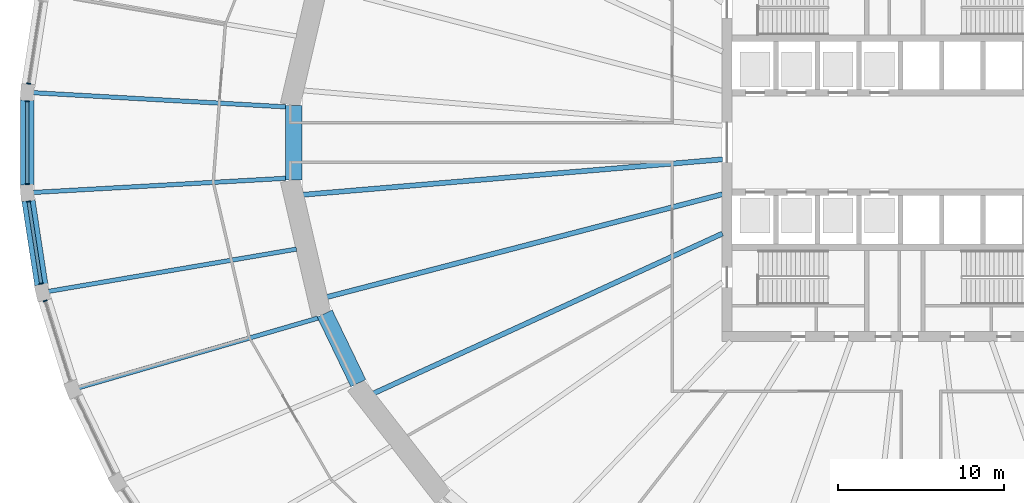
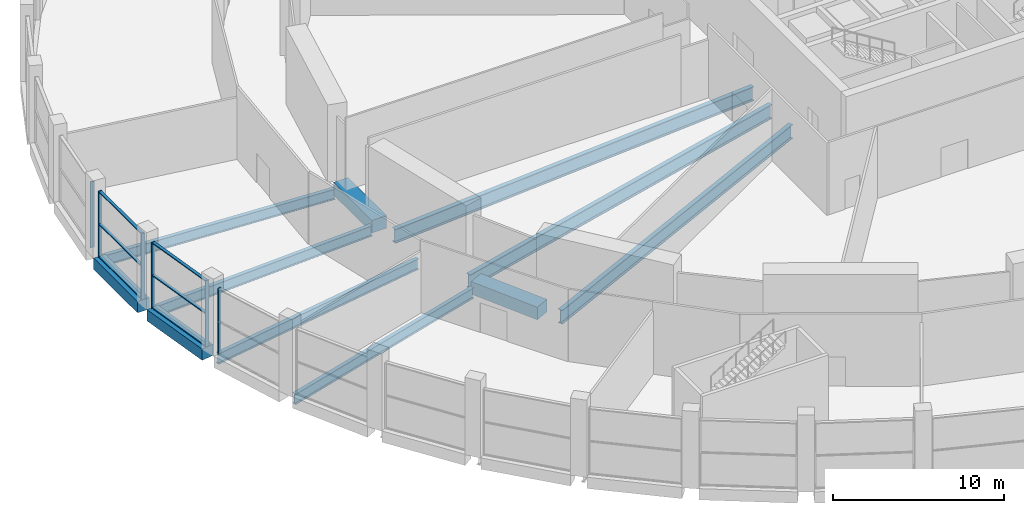
# One storey, part 5 of 29: 12 members, 11 beams, 4 elements without a shape of their own.
"""IFC4 building model written with IfcOpenShell, lengths in metres."""

import ifcopenshell
import ifcopenshell.guid

model = None  # the IFC model being written
_history = None  # IfcOwnerHistory: only IFC2X3 demands one
_inside = {}  # id of a spatial element -> (the spatial element, [elements in it])
_under = {}  # id of a project, library or spatial element -> (it, [spatial elements below it])
_declared = {}  # id of a project -> (the project, [libraries it declares])
_typed = {}  # id of a type object -> (the type object, [elements of that type])
_made_of = {}  # id of a material, layer set ... -> (it, [elements and type objects made of it])


def new_model(schema):
    """Start an empty IFC model of exactly this schema.

    Asked for "IFC4X3", IfcOpenShell would pick the latest addendum, in which some entities
    have other attributes; the version numbers below select the first issue.
    IFC2X3 requires an IfcOwnerHistory on every rooted entity: one is made here for all.
    """
    global model, _history
    if schema == "IFC4X3":
        model = ifcopenshell.file(schema_version=(4, 3, 0, 0))
    else:
        model = ifcopenshell.file(schema=schema)
    _inside.clear()
    _under.clear()
    _declared.clear()
    _typed.clear()
    _made_of.clear()
    _history = None
    if model.schema == "IFC2X3":
        org = make("IfcOrganization", Name="unknown")
        user = make(
            "IfcPersonAndOrganization",
            ThePerson=make("IfcPerson", FamilyName="unknown"),
            TheOrganization=org,
        )
        app = make(
            "IfcApplication",
            ApplicationDeveloper=org,
            Version="unknown",
            ApplicationFullName="unknown",
            ApplicationIdentifier="unknown",
        )
        _history = make(
            "IfcOwnerHistory",
            OwningUser=user,
            OwningApplication=app,
            ChangeAction="ADDED",
            CreationDate=0,
        )
    return model


def make(cls, **values):
    """One entity of the class cls with the attributes given. An attribute that is None is left unset."""
    return model.create_entity(
        cls, **{name: value for name, value in values.items() if value is not None}
    )


def rooted(cls, **values):
    """An entity with a GlobalId (a new one), such as an element, a storey or a relation."""
    return make(cls, GlobalId=ifcopenshell.guid.new(), OwnerHistory=_history, **values)


def si_unit(unit_type, name, prefix=None):
    """IfcSIUnit, for example si_unit("LENGTHUNIT", "METRE", prefix="MILLI")."""
    return make("IfcSIUnit", UnitType=unit_type, Prefix=prefix, Name=name)


def assignment(units):
    """IfcUnitAssignment: the units of a project."""
    return None if units is None else make("IfcUnitAssignment", Units=units)


def point(xyz):
    """IfcCartesianPoint."""
    return None if xyz is None else make("IfcCartesianPoint", Coordinates=xyz)


def direction(xyz):
    """IfcDirection."""
    return None if xyz is None else make("IfcDirection", DirectionRatios=xyz)


def frame(location, z_axis=None, x_axis=None):
    """IfcAxis2Placement3D, a coordinate frame: its origin and axes. An axis left out is left unset."""
    return make(
        "IfcAxis2Placement3D",
        Location=point(location),
        Axis=direction(z_axis),
        RefDirection=direction(x_axis),
    )


def frame_2d(location, x_axis=None):
    """IfcAxis2Placement2D, a coordinate frame in the plane: its origin and x axis."""
    return make(
        "IfcAxis2Placement2D", Location=point(location), RefDirection=direction(x_axis)
    )


def origin():
    """The frame at (0, 0, 0) with its axes left unset."""
    return frame((0.0, 0.0, 0.0))


def origin_2d():
    """The frame at (0, 0) in the plane with its x axis left unset."""
    return frame_2d((0.0, 0.0))


def place(relative_to, where):
    """IfcLocalPlacement: puts the frame where relative to a parent placement (None: the world)."""
    return make(
        "IfcLocalPlacement", PlacementRelTo=relative_to, RelativePlacement=where
    )


def context(
    kind, dimensions, precision=None, world=None, true_north=None, identifier=None
):
    """IfcGeometricRepresentationContext, for example the 3D "Model" context."""
    return make(
        "IfcGeometricRepresentationContext",
        ContextIdentifier=identifier,
        ContextType=kind,
        CoordinateSpaceDimension=dimensions,
        Precision=precision,
        WorldCoordinateSystem=world,
        TrueNorth=true_north,
    )


def subcontext(parent, identifier, kind, view, scale=None):
    """IfcGeometricRepresentationSubContext, for example "Body" below "Model"."""
    return make(
        "IfcGeometricRepresentationSubContext",
        ContextIdentifier=identifier,
        ContextType=kind,
        ParentContext=parent,
        TargetScale=scale,
        TargetView=view,
    )


def project(units=None, contexts=None):
    """IfcProject with its units and contexts."""
    return rooted(
        "IfcProject",
        Name="project",
        RepresentationContexts=contexts,
        UnitsInContext=assignment(units),
    )


def spatial(cls, under=None, at=None, **own):
    """A site, building, storey or space (cls), placed at a placement, below another one or the project."""
    s = rooted(cls, ObjectPlacement=at, **own)
    if under is not None:
        _under.setdefault(under.id(), (under, []))[1].append(s)
    return s


def profile(cls, at=None, kind="AREA", **sizes):
    """A parametric profile (cls). Its sizes go by their IFC names, for example OverallWidth=200.0."""
    return make(cls, ProfileType=kind, Position=at, **sizes)


def rectangle(**sizes):
    """IfcRectangleProfileDef."""
    return profile("IfcRectangleProfileDef", **sizes)


def i_section(**sizes):
    """IfcIShapeProfileDef."""
    return profile("IfcIShapeProfileDef", **sizes)


def extrude(swept, where, along, depth):
    """IfcExtrudedAreaSolid: the profile swept, set in the frame where, extruded along a direction by depth."""
    return make(
        "IfcExtrudedAreaSolid",
        SweptArea=swept,
        Position=where,
        ExtrudedDirection=direction(along),
        Depth=depth,
    )


def shape(context_of_items, identifier, shape_type, items):
    """IfcShapeRepresentation: the items that make up one representation, for example the "Body"."""
    return make(
        "IfcShapeRepresentation",
        ContextOfItems=context_of_items,
        RepresentationIdentifier=identifier,
        RepresentationType=shape_type,
        Items=items,
    )


def material(Name=None, Category=None):
    """IfcMaterial."""
    return make("IfcMaterial", Name=Name, Category=Category)


def material_profile(
    of_material, cross_section, Name=None, Category=None, Priority=None
):
    """IfcMaterialProfile: a cross section and its material."""
    return make(
        "IfcMaterialProfile",
        Name=Name,
        Material=of_material,
        Profile=cross_section,
        Priority=Priority,
        Category=Category,
    )


def profile_set(profiles, Name=None, composite=None):
    """IfcMaterialProfileSet."""
    return make(
        "IfcMaterialProfileSet",
        Name=Name,
        MaterialProfiles=profiles,
        CompositeProfile=composite,
    )


def made_of(thing, what):
    """Note that an element or type object is made of a material, layer set ...; save() writes the relation."""
    if what is not None:
        _made_of.setdefault(what.id(), (what, []))[1].append(thing)
    return thing


def type_object(cls, material=None, **own):
    """A type object (cls), such as IfcWallType, which elements share."""
    return made_of(rooted(cls, **own), material)


def element(
    cls,
    number,
    at=None,
    inside=None,
    cuts=None,
    type_object=None,
    material=None,
    context=None,
    identifier="Body",
    shape_type=None,
    held_by="IfcProductDefinitionShape",
    body=None,
    shapes=None,
    **own,
):
    """One element of the class cls, such as IfcWall. Its Tag is "e" and its number.

    at: its placement. inside: the storey or other place that contains it. cuts: it is an
    opening in that element (IfcRelVoidsElement). A single representation is given by context,
    identifier, shape_type and body (its items); several are given by shapes. held_by: the class
    of the entity that holds the representations. save() writes the other relations.
    """
    e = rooted(cls, Tag="e%d" % number, ObjectPlacement=at, **own)
    if body is not None:
        shapes = [shape(context, identifier, shape_type, body)]
    if shapes is not None:
        e.Representation = make(held_by, Representations=shapes)
    if inside is not None:
        _inside.setdefault(inside.id(), (inside, []))[1].append(e)
    if cuts is not None:
        rooted(
            "IfcRelVoidsElement", RelatingBuildingElement=cuts, RelatedOpeningElement=e
        )
    if type_object is not None:
        _typed.setdefault(type_object.id(), (type_object, []))[1].append(e)
    return made_of(e, material)


def aggregate(whole, parts):
    """IfcRelAggregates: a whole, such as a stair, and the parts it consists of."""
    return rooted("IfcRelAggregates", RelatingObject=whole, RelatedObjects=parts)


def save(model, path):
    """Write the relations noted so far, then the file.

    IfcRelAggregates (storeys below a building ...), IfcRelContainedInSpatialStructure (elements
    in a storey), IfcRelDefinesByType, IfcRelAssociatesMaterial and IfcRelDeclares: one each for
    every whole, place, type object, material and project.
    """
    for whole, parts in _under.values():
        aggregate(whole, parts)
    for where, things in _inside.values():
        rooted(
            "IfcRelContainedInSpatialStructure",
            RelatedElements=things,
            RelatingStructure=where,
        )
    for kind, things in _typed.values():
        rooted("IfcRelDefinesByType", RelatedObjects=things, RelatingType=kind)
    for what, things in _made_of.values():
        rooted("IfcRelAssociatesMaterial", RelatedObjects=things, RelatingMaterial=what)
    for by, libraries in _declared.values():
        rooted("IfcRelDeclares", RelatingContext=by, RelatedDefinitions=libraries)
    model.write(path)


model = new_model("IFC4")

# Units and contexts
model_context = context("Model", 3, precision=1e-05, world=origin(), true_north=direction((0.0, 1.0)))
body_context = subcontext(model_context, "Body", "Model", "MODEL_VIEW")
ifc_project = project(units=[si_unit("LENGTHUNIT", "METRE"), si_unit("AREAUNIT", "SQUARE_METRE"), si_unit("VOLUMEUNIT", "CUBIC_METRE"), si_unit("PLANEANGLEUNIT", "RADIAN"), si_unit("MASSUNIT", "GRAM", prefix="KILO")], contexts=[model_context])

# Site, building, storey
site_placement = place(None, origin())
site = spatial("IfcSite", under=ifc_project, at=site_placement, CompositionType="ELEMENT")
building_placement = place(site_placement, origin())
building = spatial("IfcBuilding", under=site, at=building_placement, Name="Halqa Exchange Tower", CompositionType="ELEMENT")
storey_placement = place(building_placement, frame((0.0, 0.0, 12.5)))
storey = spatial("IfcBuildingStorey", under=building, at=storey_placement, Name="L02", CompositionType="ELEMENT", Elevation=12.5)

# Curtain wall, member
ifc_material_1 = material(Name="Anodised aluminium and clear glass", Category="aluminium")
curtain_wall_type = type_object("IfcCurtainWallType", Name="Exchange hall glazing", PredefinedType="NOTDEFINED", material=ifc_material_1)
curtain_wall_1_placement = place(storey_placement, origin())
curtain_wall_1 = element("IfcCurtainWall", 1, at=curtain_wall_1_placement, inside=storey, type_object=curtain_wall_type, Name="Exchange hall glazing run P23", PredefinedType="NOTDEFINED")
ifc_material_2 = material(Name="Anodised aluminium", Category="aluminium")
ifc_material_profile_1 = material_profile(ifc_material_2, rectangle(XDim=0.25, YDim=0.070068359375, at=origin_2d()), Name="AL 70x250")
ifc_profile_set_1 = profile_set([ifc_material_profile_1], Name="Anodised aluminium")
member_type_1 = type_object("IfcMemberType", Name="Exchange hall glazing mullion 70 x 250", PredefinedType="MULLION", material=ifc_profile_set_1)
member_1_placement = place(storey_placement, frame((-53.80322265625, 3.556884765625, 0.0), z_axis=(0.0, 0.0, 1.0), x_axis=(0.988416304241, -0.151766957898, 0.0)))
member_1 = element("IfcMember", 2, at=member_1_placement, type_object=member_type_1, Name="P23 mullion 2", PredefinedType="MULLION", context=body_context, shape_type="SweptSolid", body=[
    extrude(rectangle(XDim=0.25, YDim=0.070068359375, at=origin_2d()), origin(), (0.0, 0.0, 1.0), 4.699951171875),
])
aggregate(curtain_wall_1, [member_1])

# Curtain wall, members
curtain_wall_2_placement = place(storey_placement, origin())
curtain_wall_2 = element("IfcCurtainWall", 3, at=curtain_wall_2_placement, inside=storey, type_object=curtain_wall_type, Name="Exchange hall glazing run P24", PredefinedType="NOTDEFINED")
member_2_placement = place(storey_placement, frame((-53.884521484375, 2.4931640625, 0.0), z_axis=(0.0, 0.0, 1.0), x_axis=(1.0, 0.0, 0.0)))
member_2 = element("IfcMember", 4, at=member_2_placement, type_object=member_type_1, Name="P24 mullion 1", PredefinedType="MULLION", context=body_context, shape_type="SweptSolid", body=[
    extrude(rectangle(XDim=0.25, YDim=0.070068359375, at=origin_2d()), origin(), (0.0, 0.0, 1.0), 4.699951171875),
])
member_3_placement = place(storey_placement, frame((-53.884521484375, -2.4931640625, 0.0), z_axis=(0.0, 0.0, 1.0), x_axis=(1.0, 0.0, 0.0)))
member_3 = element("IfcMember", 5, at=member_3_placement, type_object=member_type_1, Name="P24 mullion 2", PredefinedType="MULLION", context=body_context, shape_type="SweptSolid", body=[
    extrude(rectangle(XDim=0.25, YDim=0.070068359375, at=origin_2d()), origin(), (0.0, 0.0, 1.0), 4.699951171875),
])

curtain_wall_3_placement = place(storey_placement, origin())
curtain_wall_3 = element("IfcCurtainWall", 6, at=curtain_wall_3_placement, inside=storey, type_object=curtain_wall_type, Name="Exchange hall glazing run P25", PredefinedType="NOTDEFINED")
member_4_placement = place(storey_placement, frame((-53.80322265625, -3.556884765625, 0.0), z_axis=(0.0, 0.0, 1.0), x_axis=(0.988416304241, 0.151766957898, 0.0)))
member_4 = element("IfcMember", 7, at=member_4_placement, type_object=member_type_1, Name="P25 mullion 1", PredefinedType="MULLION", context=body_context, shape_type="SweptSolid", body=[
    extrude(rectangle(XDim=0.25, YDim=0.070068359375, at=origin_2d()), origin(), (0.0, 0.0, 1.0), 4.699951171875),
])
member_5_placement = place(storey_placement, frame((-53.043701171875, -8.50390625, 0.0), z_axis=(0.0, 0.0, 1.0), x_axis=(0.988416304241, 0.151766957898, 0.0)))
member_5 = element("IfcMember", 8, at=member_5_placement, type_object=member_type_1, Name="P25 mullion 2", PredefinedType="MULLION", context=body_context, shape_type="SweptSolid", body=[
    extrude(rectangle(XDim=0.25, YDim=0.070068359375, at=origin_2d()), origin(), (0.0, 0.0, 1.0), 4.699951171875),
])

# Curtain wall, member
curtain_wall_4_placement = place(storey_placement, origin())
curtain_wall_4 = element("IfcCurtainWall", 9, at=curtain_wall_4_placement, inside=storey, type_object=curtain_wall_type, Name="Exchange hall glazing run P26", PredefinedType="NOTDEFINED")
member_6_placement = place(storey_placement, frame((-52.802978515625, -9.543212890625, 0.0), z_axis=(0.0, 0.0, 1.0), x_axis=(0.95447130463, 0.298302746613, 0.0)))
member_6 = element("IfcMember", 10, at=member_6_placement, type_object=member_type_1, Name="P26 mullion 1", PredefinedType="MULLION", context=body_context, shape_type="SweptSolid", body=[
    extrude(rectangle(XDim=0.25, YDim=0.070068359375, at=origin_2d()), origin(), (0.0, 0.0, 1.0), 4.699951171875),
])
aggregate(curtain_wall_4, [member_6])

# Member
ifc_material_profile_2 = material_profile(ifc_material_2, rectangle(XDim=0.199951171875, YDim=0.070068359375, at=origin_2d()), Name="AL 70x200")
ifc_profile_set_2 = profile_set([ifc_material_profile_2], Name="Anodised aluminium")
member_type_2 = type_object("IfcMemberType", Name="Exchange hall glazing transom 70 x 200", PredefinedType="USERDEFINED", material=ifc_profile_set_2)
member_7_placement = place(storey_placement, frame((-53.884521484375, 2.458251953125, 0.034912109375), z_axis=(0.0, -1.0, 0.0), x_axis=(1.0, 0.0, 0.0)))
member_7 = element("IfcMember", 11, at=member_7_placement, type_object=member_type_2, Name="P24 transom 1.1", ObjectType="TRANSOM", PredefinedType="USERDEFINED", context=body_context, shape_type="SweptSolid", body=[
    extrude(rectangle(XDim=0.199951171875, YDim=0.070068359375, at=origin_2d()), origin(), (0.0, 0.0, 1.0), 4.91650390625),
])

member_8_placement = place(storey_placement, frame((-53.884521484375, 2.458251953125, 2.35009765625), z_axis=(0.0, -1.0, 0.0), x_axis=(1.0, 0.0, 0.0)))
member_8 = element("IfcMember", 12, at=member_8_placement, type_object=member_type_2, Name="P24 transom 1.2", ObjectType="TRANSOM", PredefinedType="USERDEFINED", context=body_context, shape_type="SweptSolid", body=[
    extrude(rectangle(XDim=0.199951171875, YDim=0.070068359375, at=origin_2d()), origin(), (0.0, 0.0, 1.0), 4.91650390625),
])

member_9_placement = place(storey_placement, frame((-53.884521484375, 2.458251953125, 4.6650390625), z_axis=(0.0, -1.0, 0.0), x_axis=(1.0, 0.0, 0.0)))
member_9 = element("IfcMember", 13, at=member_9_placement, type_object=member_type_2, Name="P24 transom 1.3", ObjectType="TRANSOM", PredefinedType="USERDEFINED", context=body_context, shape_type="SweptSolid", body=[
    extrude(rectangle(XDim=0.199951171875, YDim=0.070068359375, at=origin_2d()), origin(), (0.0, 0.0, 1.0), 4.91650390625),
])

aggregate(curtain_wall_2, [member_2, member_3, member_7, member_8, member_9])

member_10_placement = place(storey_placement, frame((-53.7978515625, -3.591552734375, 0.034912109375), z_axis=(0.151782076139, -0.988413982784, 0.0), x_axis=(0.988413982784, 0.151782076139, 0.0)))
member_10 = element("IfcMember", 14, at=member_10_placement, type_object=member_type_2, Name="P25 transom 1.1", ObjectType="TRANSOM", PredefinedType="USERDEFINED", context=body_context, shape_type="SweptSolid", body=[
    extrude(rectangle(XDim=0.199951171875, YDim=0.070068359375, at=origin_2d()), origin(), (0.0, 0.0, 1.0), 4.934814453125),
])

member_11_placement = place(storey_placement, frame((-53.7978515625, -3.591552734375, 2.35009765625), z_axis=(0.151782076139, -0.988413982784, 0.0), x_axis=(0.988413982784, 0.151782076139, 0.0)))
member_11 = element("IfcMember", 15, at=member_11_placement, type_object=member_type_2, Name="P25 transom 1.2", ObjectType="TRANSOM", PredefinedType="USERDEFINED", context=body_context, shape_type="SweptSolid", body=[
    extrude(rectangle(XDim=0.199951171875, YDim=0.070068359375, at=origin_2d()), origin(), (0.0, 0.0, 1.0), 4.934814453125),
])

member_12_placement = place(storey_placement, frame((-53.7978515625, -3.591552734375, 4.6650390625), z_axis=(0.151782076139, -0.988413982784, 0.0), x_axis=(0.988413982784, 0.151782076139, 0.0)))
member_12 = element("IfcMember", 16, at=member_12_placement, type_object=member_type_2, Name="P25 transom 1.3", ObjectType="TRANSOM", PredefinedType="USERDEFINED", context=body_context, shape_type="SweptSolid", body=[
    extrude(rectangle(XDim=0.199951171875, YDim=0.070068359375, at=origin_2d()), origin(), (0.0, 0.0, 1.0), 4.934814453125),
])

aggregate(curtain_wall_3, [member_4, member_5, member_10, member_11, member_12])

# Beams
ifc_material_3 = material(Name="Steel S355", Category="steel")
ifc_material_profile_3 = material_profile(ifc_material_3, i_section(OverallWidth=0.300048828125, OverallDepth=1.0, WebThickness=0.01904296875, FlangeThickness=0.035888671875, FilletRadius=0.030029296875, at=origin_2d()), Name="HEB 1000")
ifc_profile_set_3 = profile_set([ifc_material_profile_3], Name="Steel S355")
beam_type_1 = type_object("IfcBeamType", Name="Floor beam HEB 1000", PredefinedType="BEAM", material=ifc_profile_set_3)
beam_1_placement = place(storey_placement, frame((-11.972412109375, -5.485107421875, -0.85009765625), z_axis=(-0.909128229117, -0.416516341843, 0.0), x_axis=(0.416516341843, -0.909128229117, 0.0)))
element("IfcBeam", 17, at=beam_1_placement, inside=storey, type_object=beam_type_1, Name="Radial beam 19", PredefinedType="BEAM", context=body_context, shape_type="SweptSolid", body=[
    extrude(i_section(OverallWidth=0.300048828125, OverallDepth=1.0, WebThickness=0.01904296875, FlangeThickness=0.035888671875, FilletRadius=0.030029296875, at=origin_2d()), origin(), (0.0, 0.0, 1.0), 23.209228515625),
])
ifc_material_profile_4 = material_profile(ifc_material_3, i_section(OverallWidth=0.302001953125, OverallDepth=1.008056640625, WebThickness=0.02099609375, FlangeThickness=0.0400390625, FilletRadius=0.030029296875, at=origin_2d()), Name="HEM 1000")
ifc_profile_set_4 = profile_set([ifc_material_profile_4], Name="Steel S355")
beam_type_2 = type_object("IfcBeamType", Name="Floor beam HEM 1000", PredefinedType="BEAM", material=ifc_profile_set_4)
beam_2_placement = place(storey_placement, frame((-11.972412109375, -1.0107421875, -0.85400390625), z_axis=(-0.996455167327, -0.084125498561, 0.0), x_axis=(0.084125498561, -0.996455167327, 0.0)))
element("IfcBeam", 18, at=beam_2_placement, inside=storey, type_object=beam_type_2, Name="Radial beam 17", PredefinedType="BEAM", context=body_context, shape_type="SweptSolid", body=[
    extrude(i_section(OverallWidth=0.302001953125, OverallDepth=1.008056640625, WebThickness=0.02099609375, FlangeThickness=0.0400390625, FilletRadius=0.030029296875, at=origin_2d()), origin(), (0.0, 0.0, 1.0), 25.460205078125),
])
beam_3_placement = place(storey_placement, frame((-11.971435546875, -3.11279296875, -0.85400390625), z_axis=(-0.967821064299, -0.251639399735, 0.0), x_axis=(0.251639399735, -0.967821064299, 0.0)))
element("IfcBeam", 19, at=beam_3_placement, inside=storey, type_object=beam_type_2, Name="Radial beam 18", PredefinedType="BEAM", context=body_context, shape_type="SweptSolid", body=[
    extrude(i_section(OverallWidth=0.302001953125, OverallDepth=1.008056640625, WebThickness=0.02099609375, FlangeThickness=0.0400390625, FilletRadius=0.030029296875, at=origin_2d()), origin(), (0.0, 0.0, 1.0), 24.7314453125),
])
ifc_material_profile_5 = material_profile(ifc_material_3, i_section(OverallWidth=0.264892578125, OverallDepth=0.7529296875, WebThickness=0.01318359375, FlangeThickness=0.01708984375, FilletRadius=0.01708984375, at=origin_2d()), Name="IPE 750x147")
ifc_profile_set_5 = profile_set([ifc_material_profile_5], Name="Steel S355")
beam_type_3 = type_object("IfcBeamType", Name="Floor beam IPE 750x147", PredefinedType="BEAM", material=ifc_profile_set_5)
for number, where, z_axis, x_axis, name in (
    (20, (-38.2880859375, 2.151611328125, -0.7265625), (-0.998424130563, 0.056118227964, 0.0), (-0.056118227964, -0.998424130563, 0.0), "Radial beam 24"),
    (21, (-38.2880859375, -2.151611328125, -0.7265625), (-0.998424130563, -0.056118227964, 0.0), (0.056118227964, -0.998424130563, 0.0), "Radial beam 25"),
):
    element("IfcBeam", number, at=place(storey_placement, frame(where, z_axis=z_axis, x_axis=x_axis)), inside=storey, type_object=beam_type_3, Name=name, PredefinedType="BEAM", context=body_context, shape_type="SweptSolid", body=[
        extrude(i_section(OverallWidth=0.264892578125, OverallDepth=0.7529296875, WebThickness=0.01318359375, FlangeThickness=0.01708984375, FilletRadius=0.01708984375, at=origin_2d()), origin(), (0.0, 0.0, 1.0), 15.248291015625),
    ])
beam_4_placement = place(storey_placement, frame((-37.654296875, -6.421875, -0.7265625), z_axis=(-0.985764762639, -0.168130403968, 0.0), x_axis=(0.168130403968, -0.985764762639, 0.0)))
element("IfcBeam", 22, at=beam_4_placement, inside=storey, type_object=beam_type_3, Name="Radial beam 26", PredefinedType="BEAM", context=body_context, shape_type="SweptSolid", body=[
    extrude(i_section(OverallWidth=0.264892578125, OverallDepth=0.7529296875, WebThickness=0.01318359375, FlangeThickness=0.01708984375, FilletRadius=0.01708984375, at=origin_2d()), origin(), (0.0, 0.0, 1.0), 15.156982421875),
])
beam_5_placement = place(storey_placement, frame((-36.34521484375, -10.578369140625, -0.7265625), z_axis=(-0.960162493503, -0.279442276812, 0.0), x_axis=(0.279442276812, -0.960162493503, 0.0)))
element("IfcBeam", 23, at=beam_5_placement, inside=storey, type_object=beam_type_3, Name="Radial beam 27", PredefinedType="BEAM", context=body_context, shape_type="SweptSolid", body=[
    extrude(i_section(OverallWidth=0.264892578125, OverallDepth=0.7529296875, WebThickness=0.01318359375, FlangeThickness=0.01708984375, FilletRadius=0.01708984375, at=origin_2d()), origin(), (0.0, 0.0, 1.0), 15.02880859375),
])
ifc_material_4 = material(Name="Concrete C60/75", Category="concrete")
ifc_material_profile_6 = material_profile(ifc_material_4, rectangle(XDim=0.800048828125, YDim=0.800048828125, at=origin_2d()), Name="800 x 800")
ifc_profile_set_6 = profile_set([ifc_material_profile_6], Name="Concrete C60/75")
beam_type_4 = type_object("IfcBeamType", Name="RC podium edge beam 800 x 800 C60/75", PredefinedType="SPANDREL", material=ifc_profile_set_6)
beam_6_placement = place(storey_placement, frame((-53.884521484375, 2.5556640625, -0.39990234375), z_axis=(0.0, -1.0, 0.0), x_axis=(1.0, 0.0, 0.0)))
element("IfcBeam", 24, at=beam_6_placement, inside=storey, type_object=beam_type_4, Name="Podium edge beam 24", PredefinedType="SPANDREL", context=body_context, shape_type="SweptSolid", body=[
    extrude(rectangle(XDim=0.800048828125, YDim=0.800048828125, at=origin_2d()), origin(), (0.0, 0.0, 1.0), 5.111328125),
])
beam_7_placement = place(storey_placement, frame((-53.812744140625, -3.495361328125, -0.39990234375), z_axis=(0.151767505705, -0.988416220128, 0.0), x_axis=(0.988416220128, 0.151767505705, 0.0)))
element("IfcBeam", 25, at=beam_7_placement, inside=storey, type_object=beam_type_4, Name="Podium edge beam 25", PredefinedType="SPANDREL", context=body_context, shape_type="SweptSolid", body=[
    extrude(rectangle(XDim=0.800048828125, YDim=0.800048828125, at=origin_2d()), origin(), (0.0, 0.0, 1.0), 5.1298828125),
])
ifc_material_profile_7 = material_profile(ifc_material_4, rectangle(XDim=1.0, YDim=0.89990234375, at=origin_2d()), Name="1000 x 900")
ifc_profile_set_7 = profile_set([ifc_material_profile_7], Name="Concrete C60/75")
beam_type_5 = type_object("IfcBeamType", Name="RC spandrel beam 1000 x 900 C60/75", PredefinedType="SPANDREL", material=ifc_profile_set_7)
beam_8_placement = place(storey_placement, frame((-37.81689453125, 2.24609375, -0.449951171875), z_axis=(0.0, -1.0, 0.0), x_axis=(1.0, 0.0, 0.0)))
element("IfcBeam", 26, at=beam_8_placement, inside=storey, type_object=beam_type_5, Name="Spandrel 16", PredefinedType="SPANDREL", context=body_context, shape_type="SweptSolid", body=[
    extrude(rectangle(XDim=1.0, YDim=0.89990234375, at=origin_2d()), origin(), (0.0, 0.0, 1.0), 4.4921875),
])
beam_9_placement = place(storey_placement, frame((-35.951904296875, -10.306884765625, -0.449951171875), z_axis=(0.435068215878, -0.900397494184, 0.0), x_axis=(0.900397494184, 0.435068215878, 0.0)))
element("IfcBeam", 27, at=beam_9_placement, inside=storey, type_object=beam_type_5, Name="Spandrel 18", PredefinedType="SPANDREL", context=body_context, shape_type="SweptSolid", body=[
    extrude(rectangle(XDim=1.0, YDim=0.89990234375, at=origin_2d()), origin(), (0.0, 0.0, 1.0), 4.6630859375),
])

save(model, "model.ifc")
